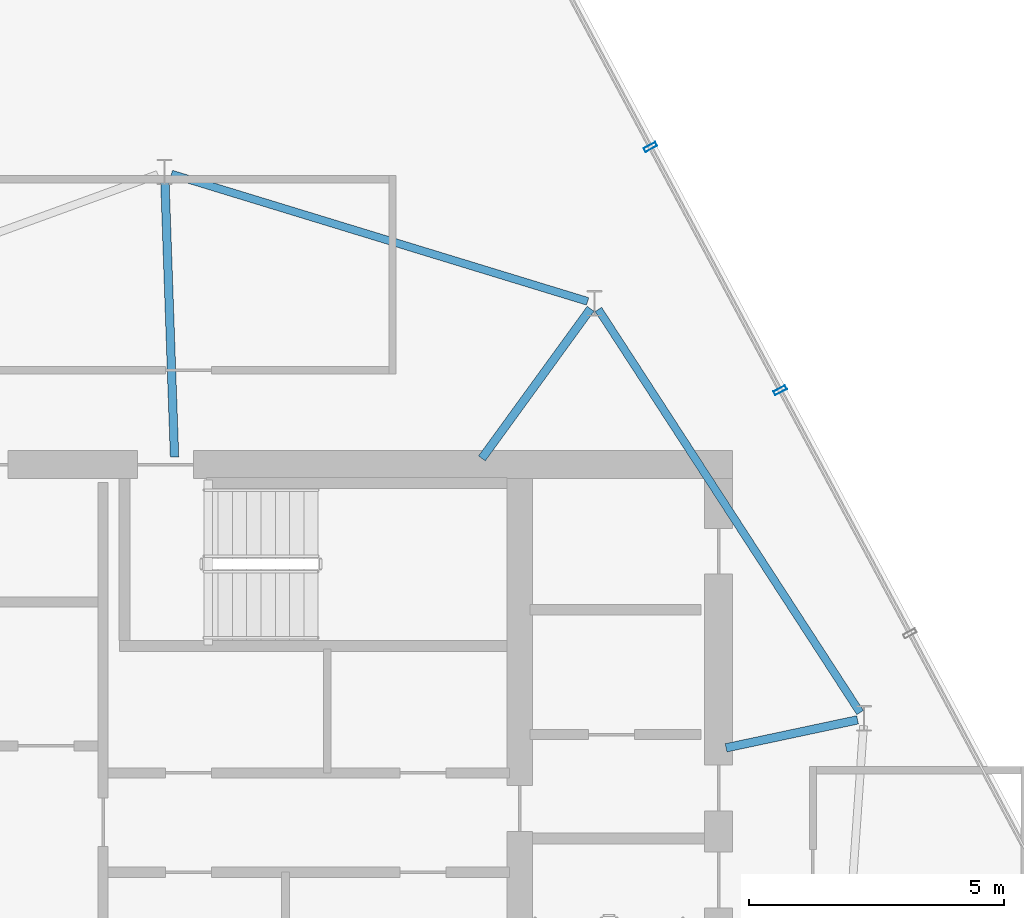
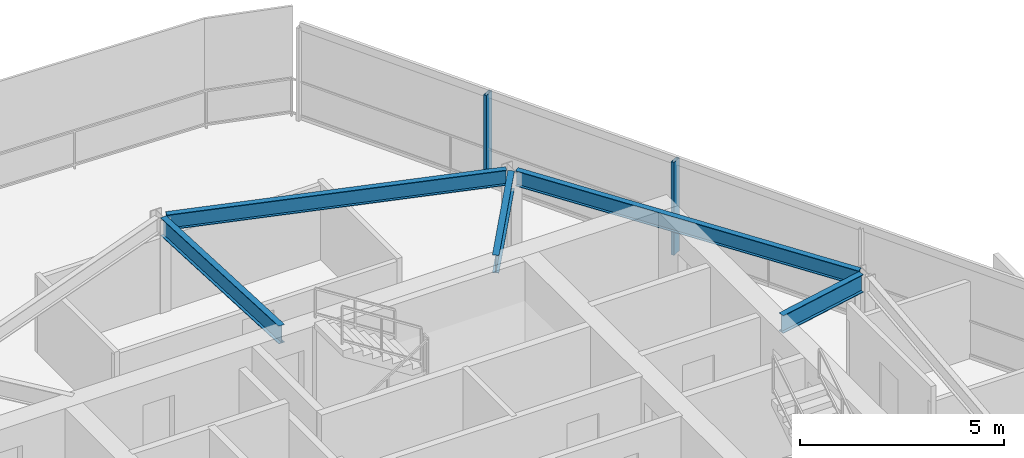
# One storey, part 9 of 16: 5 beams, 2 members, 1 element without a shape of its own.
"""IFC4 building model written with IfcOpenShell, lengths in metres."""

from ifc_helpers import new_model, si_unit, direction, frame, origin, origin_2d, place, context, subcontext, project, spatial, hollow_rectangle, i_section, extrude, material, layer, layer_set, material_profile, profile_set, type_object, element, aggregate, save


model = new_model("IFC4")

# Units and contexts
model_context = context("Model", 3, precision=1e-05, world=origin(), true_north=direction((0.0, 1.0)))
body_context = subcontext(model_context, "Body", "Model", "MODEL_VIEW")
ifc_project = project(units=[si_unit("LENGTHUNIT", "METRE"), si_unit("AREAUNIT", "SQUARE_METRE"), si_unit("VOLUMEUNIT", "CUBIC_METRE"), si_unit("PLANEANGLEUNIT", "RADIAN"), si_unit("MASSUNIT", "GRAM", prefix="KILO")], contexts=[model_context])

# Site, building, storey
site_placement = place(None, origin())
site = spatial("IfcSite", under=ifc_project, at=site_placement, CompositionType="ELEMENT")
building_placement = place(site_placement, origin())
building = spatial("IfcBuilding", under=site, at=building_placement, Name="Qarnah Convention Tower", CompositionType="ELEMENT")
storey_placement = place(building_placement, frame((0.0, 0.0, 286.699951171875)))
storey = spatial("IfcBuildingStorey", under=building, at=storey_placement, Name="L77", CompositionType="ELEMENT", Elevation=286.699951171875)

# Beams
ifc_material_1 = material(Name="Structural steel S355JR", Category="steel")
ifc_material_profile_1 = material_profile(ifc_material_1, i_section(OverallWidth=0.166015625, OverallDepth=0.535888671875, WebThickness=0.010009765625, FlangeThickness=0.01708984375, at=origin_2d()), Name="W530X85")
ifc_profile_set_1 = profile_set([ifc_material_profile_1], Name="Structural steel S355JR")
beam_type_1 = type_object("IfcBeamType", Name="BM-RAD-W530B", PredefinedType="BEAM", material=ifc_profile_set_1)
beam_1_placement = place(storey_placement, frame((47.7470703125, 28.64111328125, 2.511962890625), z_axis=(0.978111540928, 0.208081266585, 0.0), x_axis=(-0.208081266585, 0.978111540928, 0.0)))
element("IfcBeam", 1, at=beam_1_placement, inside=storey, type_object=beam_type_1, Name="L77 beam BM-L77-RAD-01", PredefinedType="BEAM", context=body_context, shape_type="SweptSolid", body=[
    extrude(i_section(OverallWidth=0.166015625, OverallDepth=0.535888671875, WebThickness=0.010009765625, FlangeThickness=0.01708984375, at=origin_2d()), origin(), (0.0, 0.0, 1.0), 2.637451171875),
])
beam_2_placement = place(storey_placement, frame((42.955078125, 34.321044921875, 2.511962890625), z_axis=(0.587723585285, 0.809061794487, 0.0), x_axis=(-0.809061794487, 0.587723585285, 0.0)))
element("IfcBeam", 2, at=beam_2_placement, inside=storey, type_object=beam_type_1, Name="L77 beam BM-L77-RAD-02", PredefinedType="BEAM", context=body_context, shape_type="SweptSolid", body=[
    extrude(i_section(OverallWidth=0.166015625, OverallDepth=0.535888671875, WebThickness=0.010009765625, FlangeThickness=0.01708984375, at=origin_2d()), origin(), (0.0, 0.0, 1.0), 3.62890625),
])
beam_3_placement = place(storey_placement, frame((36.923095703125, 34.35009765625, 2.511962890625), z_axis=(-0.034977689841, 0.999388093392, 0.0), x_axis=(-0.999388093392, -0.034977689841, 0.0)))
element("IfcBeam", 3, at=beam_3_placement, inside=storey, type_object=beam_type_1, Name="L77 beam BM-L77-RAD-03", PredefinedType="BEAM", context=body_context, shape_type="SweptSolid", body=[
    extrude(i_section(OverallWidth=0.166015625, OverallDepth=0.535888671875, WebThickness=0.010009765625, FlangeThickness=0.01708984375, at=origin_2d()), origin(), (0.0, 0.0, 1.0), 5.46533203125),
])
ifc_material_profile_2 = material_profile(ifc_material_1, i_section(OverallWidth=0.154052734375, OverallDepth=0.4599609375, WebThickness=0.009033203125, FlangeThickness=0.014892578125, at=origin_2d()), Name="W460X68")
ifc_profile_set_2 = profile_set([ifc_material_profile_2], Name="Structural steel S355JR")
beam_type_2 = type_object("IfcBeamType", Name="BM-SPN-W460B", PredefinedType="SPANDREL", material=ifc_profile_set_2)
beam_4_placement = place(storey_placement, frame((50.3779296875, 29.333984375, 2.550048828125), z_axis=(-0.544668094576, 0.83865169573, 0.0), x_axis=(-0.83865169573, -0.544668094576, 0.0)))
element("IfcBeam", 4, at=beam_4_placement, inside=storey, type_object=beam_type_2, Name="L77 spandrel BM-L77-SPN-01", PredefinedType="SPANDREL", context=body_context, shape_type="SweptSolid", body=[
    extrude(i_section(OverallWidth=0.154052734375, OverallDepth=0.4599609375, WebThickness=0.009033203125, FlangeThickness=0.014892578125, at=origin_2d()), origin(), (0.0, 0.0, 1.0), 9.43310546875),
])
beam_5_placement = place(storey_placement, frame((45.030029296875, 37.403076171875, 2.550048828125), z_axis=(-0.956294755563, 0.292404412557, 0.0), x_axis=(-0.292404412557, -0.956294755563, 0.0)))
element("IfcBeam", 5, at=beam_5_placement, inside=storey, type_object=beam_type_2, Name="L77 spandrel BM-L77-SPN-02", PredefinedType="SPANDREL", context=body_context, shape_type="SweptSolid", body=[
    extrude(i_section(OverallWidth=0.154052734375, OverallDepth=0.4599609375, WebThickness=0.009033203125, FlangeThickness=0.014892578125, at=origin_2d()), origin(), (0.0, 0.0, 1.0), 8.542236328125),
])

# Curtain wall, members
ifc_material_2 = material(Name="Tempered Low-E dark glass", Category="glass")
ifc_layer = layer(ifc_material_2, 0.177978515625)
ifc_layer_set = layer_set([ifc_layer], Name="Tempered Low-E dark glass")
curtain_wall_type = type_object("IfcCurtainWallType", Name="CWS-06", PredefinedType="NOTDEFINED", material=ifc_layer_set)
curtain_wall_placement = place(storey_placement, origin())
curtain_wall = element("IfcCurtainWall", 6, at=curtain_wall_placement, inside=storey, type_object=curtain_wall_type, Name="L77 unitised curtain wall CW-L77-F1", PredefinedType="NOTDEFINED")
ifc_material_3 = material(Name="Black anodised aluminium", Category="aluminium")
ifc_material_profile_3 = material_profile(ifc_material_3, hollow_rectangle(XDim=0.0849609375, YDim=0.260009765625, WallThickness=0.006103515625, at=origin_2d()), Name="MUL-85X260")
ifc_profile_set_3 = profile_set([ifc_material_profile_3], Name="Black anodised aluminium")
member_type = type_object("IfcMemberType", Name="MUL-T6", PredefinedType="MULLION", material=ifc_profile_set_3)
member_1_placement = place(storey_placement, frame((46.26171875, 40.431884765625, 0.0), z_axis=(0.0, 0.0, 1.0), x_axis=(0.470716790186, -0.882284366538, 0.0)))
member_1 = element("IfcMember", 7, at=member_1_placement, type_object=member_type, Name="CW-L77-F1 mullion 2", PredefinedType="MULLION", context=body_context, shape_type="SweptSolid", body=[
    extrude(hollow_rectangle(XDim=0.0849609375, YDim=0.260009765625, WallThickness=0.006103515625, at=origin_2d()), origin(), (0.0, 0.0, 1.0), 2.780029296875),
])
member_2_placement = place(storey_placement, frame((48.80810546875, 35.65869140625, 0.0), z_axis=(0.0, 0.0, 1.0), x_axis=(0.470716790186, -0.882284366538, 0.0)))
member_2 = element("IfcMember", 8, at=member_2_placement, type_object=member_type, Name="CW-L77-F1 mullion 3", PredefinedType="MULLION", context=body_context, shape_type="SweptSolid", body=[
    extrude(hollow_rectangle(XDim=0.0849609375, YDim=0.260009765625, WallThickness=0.006103515625, at=origin_2d()), origin(), (0.0, 0.0, 1.0), 2.780029296875),
])
aggregate(curtain_wall, [member_1, member_2])

save(model, "model.ifc")
